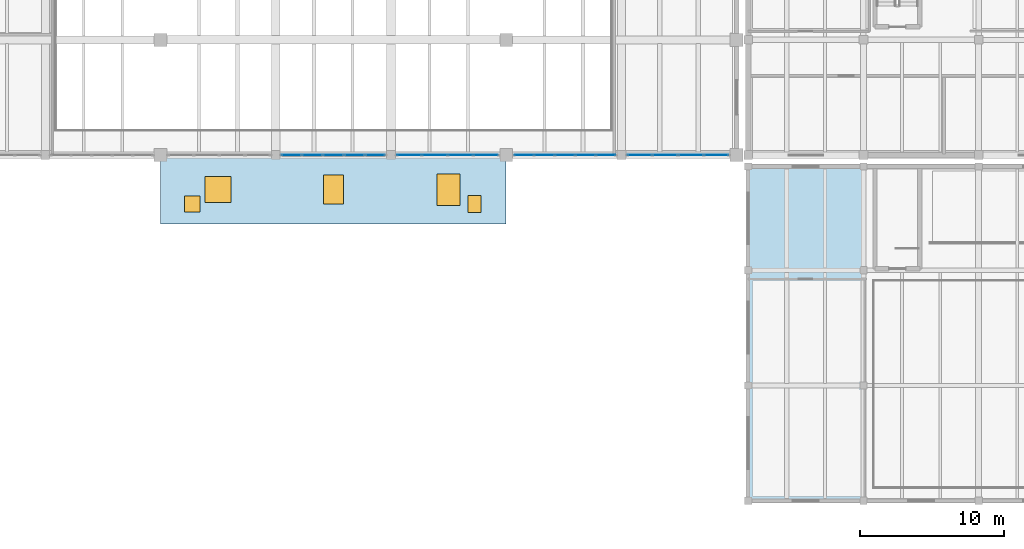
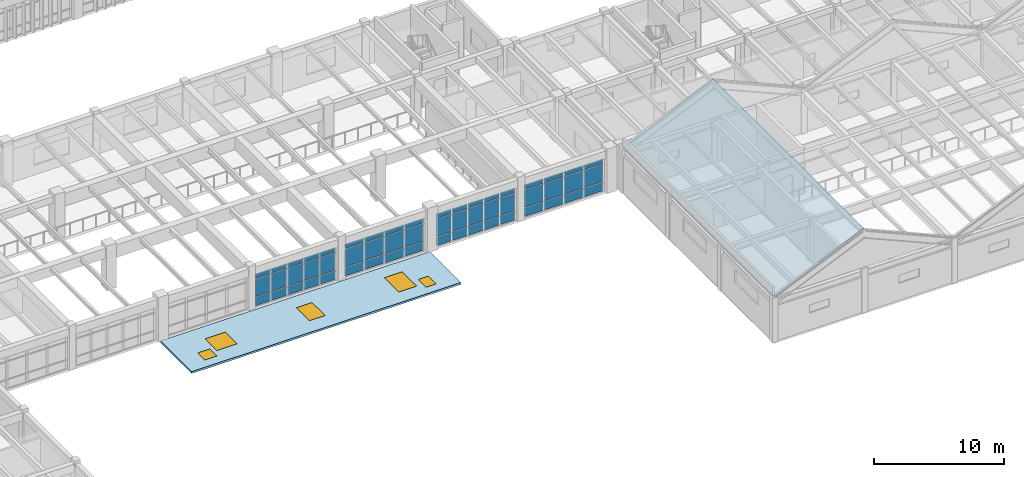
"""IFC4 building model written with IfcOpenShell, lengths in metres."""

from ifc_helpers import new_model, si_unit, direction, frame, origin, origin_2d, place, context, subcontext, project, spatial, polyline, rectangle, outline, extrude, material, layer, layer_set, type_object, element, fill, aggregate, save


model = new_model("IFC4")

# Units and contexts
model_context = context("Model", 3, precision=1e-05, world=origin(), true_north=direction((0.0, 1.0)))
body_context = subcontext(model_context, "Body", "Model", "MODEL_VIEW")
ifc_project = project(units=[si_unit("LENGTHUNIT", "METRE"), si_unit("AREAUNIT", "SQUARE_METRE"), si_unit("VOLUMEUNIT", "CUBIC_METRE"), si_unit("PLANEANGLEUNIT", "RADIAN"), si_unit("MASSUNIT", "GRAM", prefix="KILO")], contexts=[model_context])

# Site, building, storey
site_placement = place(None, origin())
site = spatial("IfcSite", under=ifc_project, at=site_placement, CompositionType="ELEMENT")
building_placement = place(site_placement, origin())
building = spatial("IfcBuilding", under=site, at=building_placement, Name="Tlaxcora Railside Police Headquarters", CompositionType="ELEMENT")
storey_1_placement = place(building_placement, frame((0.0, 0.0, 4.800048828125)))
storey_1 = spatial("IfcBuildingStorey", under=building, at=storey_1_placement, Name="L01", CompositionType="ELEMENT", Elevation=4.800048828125)

# Curtain wall, plates
ifc_material_1 = material(Name="Thermally broken low-E insulated glazing", Category="glass")
curtain_wall_type_1 = type_object("IfcCurtainWallType", Name="Unitised Curtain Wall Assembly CW-23", PredefinedType="NOTDEFINED", material=ifc_material_1)
curtain_wall_1_placement = place(storey_1_placement, origin())
curtain_wall_1 = element("IfcCurtainWall", 1, at=curtain_wall_1_placement, inside=storey_1, type_object=curtain_wall_type_1, Name="V1 L01 curtain wall 8", PredefinedType="NOTDEFINED")
ifc_layer_1 = layer(ifc_material_1, 0.0400390625, Name="Thermally broken low-E insulated glazing")
ifc_layer_set_1 = layer_set([ifc_layer_1], Name="Thermally broken low-E insulated glazing")
plate_type_1 = type_object("IfcPlateType", Name="Curtain Wall Infill Panel CW-17", PredefinedType="CURTAIN_PANEL", material=ifc_layer_set_1)
plate_1_placement = place(storey_1_placement, frame((71.10009765625, 36.0, 0.080078125), z_axis=(0.0, 0.0, 1.0), x_axis=(1.0, 0.0, 0.0)))
plate_1 = element("IfcPlate", 2, at=plate_1_placement, type_object=plate_type_1, Name="CW panel 1.1", PredefinedType="CURTAIN_PANEL", context=body_context, shape_type="SweptSolid", body=[
    extrude(rectangle(XDim=1.340087890625, YDim=0.0400390625, at=origin_2d()), origin(), (0.0, 0.0, 1.0), 0.780029296875),
])
plate_2_placement = place(storey_1_placement, frame((71.10009765625, 36.0, 0.93994140625), z_axis=(0.0, 0.0, 1.0), x_axis=(1.0, 0.0, 0.0)))
plate_2 = element("IfcPlate", 3, at=plate_2_placement, type_object=plate_type_1, Name="CW panel 1.2", PredefinedType="CURTAIN_PANEL", context=body_context, shape_type="SweptSolid", body=[
    extrude(rectangle(XDim=1.340087890625, YDim=0.0400390625, at=origin_2d()), origin(), (0.0, 0.0, 1.0), 1.6298828125),
])
plate_3_placement = place(storey_1_placement, frame((71.10009765625, 36.0, 2.64990234375), z_axis=(0.0, 0.0, 1.0), x_axis=(1.0, 0.0, 0.0)))
plate_3 = element("IfcPlate", 4, at=plate_3_placement, type_object=plate_type_1, Name="CW panel 1.3", PredefinedType="CURTAIN_PANEL", context=body_context, shape_type="SweptSolid", body=[
    extrude(rectangle(XDim=1.340087890625, YDim=0.0400390625, at=origin_2d()), origin(), (0.0, 0.0, 1.0), 0.409912109375),
])
plate_4_placement = place(storey_1_placement, frame((72.5400390625, 36.0, 0.080078125), z_axis=(0.0, 0.0, 1.0), x_axis=(1.0, 0.0, 0.0)))
plate_4 = element("IfcPlate", 5, at=plate_4_placement, type_object=plate_type_1, Name="CW panel 2.1", PredefinedType="CURTAIN_PANEL", context=body_context, shape_type="SweptSolid", body=[
    extrude(rectangle(XDim=1.3798828125, YDim=0.0400390625, at=origin_2d()), origin(), (0.0, 0.0, 1.0), 0.780029296875),
])
plate_5_placement = place(storey_1_placement, frame((72.5400390625, 36.0, 0.93994140625), z_axis=(0.0, 0.0, 1.0), x_axis=(1.0, 0.0, 0.0)))
plate_5 = element("IfcPlate", 6, at=plate_5_placement, type_object=plate_type_1, Name="CW panel 2.2", PredefinedType="CURTAIN_PANEL", context=body_context, shape_type="SweptSolid", body=[
    extrude(rectangle(XDim=1.3798828125, YDim=0.0400390625, at=origin_2d()), origin(), (0.0, 0.0, 1.0), 1.6298828125),
])
plate_6_placement = place(storey_1_placement, frame((72.5400390625, 36.0, 2.64990234375), z_axis=(0.0, 0.0, 1.0), x_axis=(1.0, 0.0, 0.0)))
plate_6 = element("IfcPlate", 7, at=plate_6_placement, type_object=plate_type_1, Name="CW panel 2.3", PredefinedType="CURTAIN_PANEL", context=body_context, shape_type="SweptSolid", body=[
    extrude(rectangle(XDim=1.3798828125, YDim=0.0400390625, at=origin_2d()), origin(), (0.0, 0.0, 1.0), 0.409912109375),
])
plate_7_placement = place(storey_1_placement, frame((74.0, 36.0, 0.080078125), z_axis=(0.0, 0.0, 1.0), x_axis=(1.0, 0.0, 0.0)))
plate_7 = element("IfcPlate", 8, at=plate_7_placement, type_object=plate_type_1, Name="CW panel 3.1", PredefinedType="CURTAIN_PANEL", context=body_context, shape_type="SweptSolid", body=[
    extrude(rectangle(XDim=1.3798828125, YDim=0.0400390625, at=origin_2d()), origin(), (0.0, 0.0, 1.0), 0.780029296875),
])
plate_8_placement = place(storey_1_placement, frame((74.0, 36.0, 0.93994140625), z_axis=(0.0, 0.0, 1.0), x_axis=(1.0, 0.0, 0.0)))
plate_8 = element("IfcPlate", 9, at=plate_8_placement, type_object=plate_type_1, Name="CW panel 3.2", PredefinedType="CURTAIN_PANEL", context=body_context, shape_type="SweptSolid", body=[
    extrude(rectangle(XDim=1.3798828125, YDim=0.0400390625, at=origin_2d()), origin(), (0.0, 0.0, 1.0), 1.6298828125),
])
plate_9_placement = place(storey_1_placement, frame((74.0, 36.0, 2.64990234375), z_axis=(0.0, 0.0, 1.0), x_axis=(1.0, 0.0, 0.0)))
plate_9 = element("IfcPlate", 10, at=plate_9_placement, type_object=plate_type_1, Name="CW panel 3.3", PredefinedType="CURTAIN_PANEL", context=body_context, shape_type="SweptSolid", body=[
    extrude(rectangle(XDim=1.3798828125, YDim=0.0400390625, at=origin_2d()), origin(), (0.0, 0.0, 1.0), 0.409912109375),
])
plate_10_placement = place(storey_1_placement, frame((75.4599609375, 36.0, 0.080078125), z_axis=(0.0, 0.0, 1.0), x_axis=(1.0, 0.0, 0.0)))
plate_10 = element("IfcPlate", 11, at=plate_10_placement, type_object=plate_type_1, Name="CW panel 4.1", PredefinedType="CURTAIN_PANEL", context=body_context, shape_type="SweptSolid", body=[
    extrude(rectangle(XDim=1.3798828125, YDim=0.0400390625, at=origin_2d()), origin(), (0.0, 0.0, 1.0), 0.780029296875),
])
plate_11_placement = place(storey_1_placement, frame((75.4599609375, 36.0, 0.93994140625), z_axis=(0.0, 0.0, 1.0), x_axis=(1.0, 0.0, 0.0)))
plate_11 = element("IfcPlate", 12, at=plate_11_placement, type_object=plate_type_1, Name="CW panel 4.2", PredefinedType="CURTAIN_PANEL", context=body_context, shape_type="SweptSolid", body=[
    extrude(rectangle(XDim=1.3798828125, YDim=0.0400390625, at=origin_2d()), origin(), (0.0, 0.0, 1.0), 1.6298828125),
])
plate_12_placement = place(storey_1_placement, frame((75.4599609375, 36.0, 2.64990234375), z_axis=(0.0, 0.0, 1.0), x_axis=(1.0, 0.0, 0.0)))
plate_12 = element("IfcPlate", 13, at=plate_12_placement, type_object=plate_type_1, Name="CW panel 4.3", PredefinedType="CURTAIN_PANEL", context=body_context, shape_type="SweptSolid", body=[
    extrude(rectangle(XDim=1.3798828125, YDim=0.0400390625, at=origin_2d()), origin(), (0.0, 0.0, 1.0), 0.409912109375),
])
plate_13_placement = place(storey_1_placement, frame((76.89990234375, 36.0, 0.080078125), z_axis=(0.0, 0.0, 1.0), x_axis=(1.0, 0.0, 0.0)))
plate_13 = element("IfcPlate", 14, at=plate_13_placement, type_object=plate_type_1, Name="CW panel 5.1", PredefinedType="CURTAIN_PANEL", context=body_context, shape_type="SweptSolid", body=[
    extrude(rectangle(XDim=1.340087890625, YDim=0.0400390625, at=origin_2d()), origin(), (0.0, 0.0, 1.0), 0.780029296875),
])
plate_14_placement = place(storey_1_placement, frame((76.89990234375, 36.0, 0.93994140625), z_axis=(0.0, 0.0, 1.0), x_axis=(1.0, 0.0, 0.0)))
plate_14 = element("IfcPlate", 15, at=plate_14_placement, type_object=plate_type_1, Name="CW panel 5.2", PredefinedType="CURTAIN_PANEL", context=body_context, shape_type="SweptSolid", body=[
    extrude(rectangle(XDim=1.340087890625, YDim=0.0400390625, at=origin_2d()), origin(), (0.0, 0.0, 1.0), 1.6298828125),
])
plate_15_placement = place(storey_1_placement, frame((76.89990234375, 36.0, 2.64990234375), z_axis=(0.0, 0.0, 1.0), x_axis=(1.0, 0.0, 0.0)))
plate_15 = element("IfcPlate", 16, at=plate_15_placement, type_object=plate_type_1, Name="CW panel 5.3", PredefinedType="CURTAIN_PANEL", context=body_context, shape_type="SweptSolid", body=[
    extrude(rectangle(XDim=1.340087890625, YDim=0.0400390625, at=origin_2d()), origin(), (0.0, 0.0, 1.0), 0.409912109375),
])
aggregate(curtain_wall_1, [plate_1, plate_2, plate_3, plate_4, plate_5, plate_6, plate_7, plate_8, plate_9, plate_10, plate_11, plate_12, plate_13, plate_14, plate_15])

curtain_wall_type_2 = type_object("IfcCurtainWallType", Name="Unitised Curtain Wall Assembly CW-15", PredefinedType="NOTDEFINED", material=ifc_material_1)
curtain_wall_2_placement = place(storey_1_placement, origin())
curtain_wall_2 = element("IfcCurtainWall", 17, at=curtain_wall_2_placement, inside=storey_1, type_object=curtain_wall_type_2, Name="V1 L01 curtain wall 10", PredefinedType="NOTDEFINED")
ifc_layer_2 = layer(ifc_material_1, 0.031982421875, Name="Thermally broken low-E insulated glazing")
ifc_layer_set_2 = layer_set([ifc_layer_2], Name="Thermally broken low-E insulated glazing")
plate_type_2 = type_object("IfcPlateType", Name="Curtain Wall Infill Panel CW-41", PredefinedType="CURTAIN_PANEL", material=ifc_layer_set_2)
plate_16_placement = place(storey_1_placement, frame((87.233642578125, 36.0, 0.074951171875), z_axis=(0.0, 0.0, 1.0), x_axis=(1.0, 0.0, 0.0)))
plate_16 = element("IfcPlate", 18, at=plate_16_placement, type_object=plate_type_2, Name="CW panel 1.1", PredefinedType="CURTAIN_PANEL", context=body_context, shape_type="SweptSolid", body=[
    extrude(rectangle(XDim=1.3173828125, YDim=0.031982421875, at=origin_2d()), origin(), (0.0, 0.0, 1.0), 0.78759765625),
])
plate_17_placement = place(storey_1_placement, frame((87.233642578125, 36.0, 0.9375), z_axis=(0.0, 0.0, 1.0), x_axis=(1.0, 0.0, 0.0)))
plate_17 = element("IfcPlate", 19, at=plate_17_placement, type_object=plate_type_2, Name="CW panel 1.2", PredefinedType="CURTAIN_PANEL", context=body_context, shape_type="SweptSolid", body=[
    extrude(rectangle(XDim=1.3173828125, YDim=0.031982421875, at=origin_2d()), origin(), (0.0, 0.0, 1.0), 1.635009765625),
])
plate_18_placement = place(storey_1_placement, frame((87.233642578125, 36.0, 2.6474609375), z_axis=(0.0, 0.0, 1.0), x_axis=(1.0, 0.0, 0.0)))
plate_18 = element("IfcPlate", 20, at=plate_18_placement, type_object=plate_type_2, Name="CW panel 1.3", PredefinedType="CURTAIN_PANEL", context=body_context, shape_type="SweptSolid", body=[
    extrude(rectangle(XDim=1.3173828125, YDim=0.031982421875, at=origin_2d()), origin(), (0.0, 0.0, 1.0), 0.41748046875),
])
plate_19_placement = place(storey_1_placement, frame((88.64501953125, 36.0, 0.074951171875), z_axis=(0.0, 0.0, 1.0), x_axis=(1.0, 0.0, 0.0)))
plate_19 = element("IfcPlate", 21, at=plate_19_placement, type_object=plate_type_2, Name="CW panel 2.1", PredefinedType="CURTAIN_PANEL", context=body_context, shape_type="SweptSolid", body=[
    extrude(rectangle(XDim=1.35498046875, YDim=0.031982421875, at=origin_2d()), origin(), (0.0, 0.0, 1.0), 0.78759765625),
])
plate_20_placement = place(storey_1_placement, frame((88.64501953125, 36.0, 0.9375), z_axis=(0.0, 0.0, 1.0), x_axis=(1.0, 0.0, 0.0)))
plate_20 = element("IfcPlate", 22, at=plate_20_placement, type_object=plate_type_2, Name="CW panel 2.2", PredefinedType="CURTAIN_PANEL", context=body_context, shape_type="SweptSolid", body=[
    extrude(rectangle(XDim=1.35498046875, YDim=0.031982421875, at=origin_2d()), origin(), (0.0, 0.0, 1.0), 1.635009765625),
])
plate_21_placement = place(storey_1_placement, frame((88.64501953125, 36.0, 2.6474609375), z_axis=(0.0, 0.0, 1.0), x_axis=(1.0, 0.0, 0.0)))
plate_21 = element("IfcPlate", 23, at=plate_21_placement, type_object=plate_type_2, Name="CW panel 2.3", PredefinedType="CURTAIN_PANEL", context=body_context, shape_type="SweptSolid", body=[
    extrude(rectangle(XDim=1.35498046875, YDim=0.031982421875, at=origin_2d()), origin(), (0.0, 0.0, 1.0), 0.41748046875),
])
plate_22_placement = place(storey_1_placement, frame((90.074951171875, 36.0, 0.074951171875), z_axis=(0.0, 0.0, 1.0), x_axis=(1.0, 0.0, 0.0)))
plate_22 = element("IfcPlate", 24, at=plate_22_placement, type_object=plate_type_2, Name="CW panel 3.1", PredefinedType="CURTAIN_PANEL", context=body_context, shape_type="SweptSolid", body=[
    extrude(rectangle(XDim=1.35498046875, YDim=0.031982421875, at=origin_2d()), origin(), (0.0, 0.0, 1.0), 0.78759765625),
])
plate_23_placement = place(storey_1_placement, frame((90.074951171875, 36.0, 0.9375), z_axis=(0.0, 0.0, 1.0), x_axis=(1.0, 0.0, 0.0)))
plate_23 = element("IfcPlate", 25, at=plate_23_placement, type_object=plate_type_2, Name="CW panel 3.2", PredefinedType="CURTAIN_PANEL", context=body_context, shape_type="SweptSolid", body=[
    extrude(rectangle(XDim=1.35498046875, YDim=0.031982421875, at=origin_2d()), origin(), (0.0, 0.0, 1.0), 1.635009765625),
])
plate_24_placement = place(storey_1_placement, frame((90.074951171875, 36.0, 2.6474609375), z_axis=(0.0, 0.0, 1.0), x_axis=(1.0, 0.0, 0.0)))
plate_24 = element("IfcPlate", 26, at=plate_24_placement, type_object=plate_type_2, Name="CW panel 3.3", PredefinedType="CURTAIN_PANEL", context=body_context, shape_type="SweptSolid", body=[
    extrude(rectangle(XDim=1.35498046875, YDim=0.031982421875, at=origin_2d()), origin(), (0.0, 0.0, 1.0), 0.41748046875),
])
plate_25_placement = place(storey_1_placement, frame((91.5048828125, 36.0, 0.074951171875), z_axis=(0.0, 0.0, 1.0), x_axis=(1.0, 0.0, 0.0)))
plate_25 = element("IfcPlate", 27, at=plate_25_placement, type_object=plate_type_2, Name="CW panel 4.1", PredefinedType="CURTAIN_PANEL", context=body_context, shape_type="SweptSolid", body=[
    extrude(rectangle(XDim=1.35498046875, YDim=0.031982421875, at=origin_2d()), origin(), (0.0, 0.0, 1.0), 0.78759765625),
])
plate_26_placement = place(storey_1_placement, frame((91.5048828125, 36.0, 0.9375), z_axis=(0.0, 0.0, 1.0), x_axis=(1.0, 0.0, 0.0)))
plate_26 = element("IfcPlate", 28, at=plate_26_placement, type_object=plate_type_2, Name="CW panel 4.2", PredefinedType="CURTAIN_PANEL", context=body_context, shape_type="SweptSolid", body=[
    extrude(rectangle(XDim=1.35498046875, YDim=0.031982421875, at=origin_2d()), origin(), (0.0, 0.0, 1.0), 1.635009765625),
])
plate_27_placement = place(storey_1_placement, frame((91.5048828125, 36.0, 2.6474609375), z_axis=(0.0, 0.0, 1.0), x_axis=(1.0, 0.0, 0.0)))
plate_27 = element("IfcPlate", 29, at=plate_27_placement, type_object=plate_type_2, Name="CW panel 4.3", PredefinedType="CURTAIN_PANEL", context=body_context, shape_type="SweptSolid", body=[
    extrude(rectangle(XDim=1.35498046875, YDim=0.031982421875, at=origin_2d()), origin(), (0.0, 0.0, 1.0), 0.41748046875),
])
plate_28_placement = place(storey_1_placement, frame((92.916259765625, 36.0, 0.074951171875), z_axis=(0.0, 0.0, 1.0), x_axis=(1.0, 0.0, 0.0)))
plate_28 = element("IfcPlate", 30, at=plate_28_placement, type_object=plate_type_2, Name="CW panel 5.1", PredefinedType="CURTAIN_PANEL", context=body_context, shape_type="SweptSolid", body=[
    extrude(rectangle(XDim=1.3173828125, YDim=0.031982421875, at=origin_2d()), origin(), (0.0, 0.0, 1.0), 0.78759765625),
])
plate_29_placement = place(storey_1_placement, frame((92.916259765625, 36.0, 0.9375), z_axis=(0.0, 0.0, 1.0), x_axis=(1.0, 0.0, 0.0)))
plate_29 = element("IfcPlate", 31, at=plate_29_placement, type_object=plate_type_2, Name="CW panel 5.2", PredefinedType="CURTAIN_PANEL", context=body_context, shape_type="SweptSolid", body=[
    extrude(rectangle(XDim=1.3173828125, YDim=0.031982421875, at=origin_2d()), origin(), (0.0, 0.0, 1.0), 1.635009765625),
])
plate_30_placement = place(storey_1_placement, frame((92.916259765625, 36.0, 2.6474609375), z_axis=(0.0, 0.0, 1.0), x_axis=(1.0, 0.0, 0.0)))
plate_30 = element("IfcPlate", 32, at=plate_30_placement, type_object=plate_type_2, Name="CW panel 5.3", PredefinedType="CURTAIN_PANEL", context=body_context, shape_type="SweptSolid", body=[
    extrude(rectangle(XDim=1.3173828125, YDim=0.031982421875, at=origin_2d()), origin(), (0.0, 0.0, 1.0), 0.41748046875),
])
aggregate(curtain_wall_2, [plate_16, plate_17, plate_18, plate_19, plate_20, plate_21, plate_22, plate_23, plate_24, plate_25, plate_26, plate_27, plate_28, plate_29, plate_30])

curtain_wall_type_3 = type_object("IfcCurtainWallType", Name="Unitised Curtain Wall Assembly CW-83", PredefinedType="NOTDEFINED", material=ifc_material_1)
curtain_wall_3_placement = place(storey_1_placement, origin())
curtain_wall_3 = element("IfcCurtainWall", 33, at=curtain_wall_3_placement, inside=storey_1, type_object=curtain_wall_type_3, Name="V1 L01 curtain wall 11", PredefinedType="NOTDEFINED")
ifc_layer_3 = layer(ifc_material_1, 0.035888671875, Name="Thermally broken low-E insulated glazing")
ifc_layer_set_3 = layer_set([ifc_layer_3], Name="Thermally broken low-E insulated glazing")
plate_type_3 = type_object("IfcPlateType", Name="Curtain Wall Infill Panel CW-72", PredefinedType="CURTAIN_PANEL", material=ifc_layer_set_3)
plate_31_placement = place(storey_1_placement, frame((95.263671875, 36.0, 0.080078125), z_axis=(0.0, 0.0, 1.0), x_axis=(1.0, 0.0, 0.0)))
plate_31 = element("IfcPlate", 34, at=plate_31_placement, type_object=plate_type_3, Name="CW panel 1.1", PredefinedType="CURTAIN_PANEL", context=body_context, shape_type="SweptSolid", body=[
    extrude(rectangle(XDim=1.66748046875, YDim=0.035888671875, at=origin_2d()), origin(), (0.0, 0.0, 1.0), 0.780029296875),
])
plate_32_placement = place(storey_1_placement, frame((95.263671875, 36.0, 0.93994140625), z_axis=(0.0, 0.0, 1.0), x_axis=(1.0, 0.0, 0.0)))
plate_32 = element("IfcPlate", 35, at=plate_32_placement, type_object=plate_type_3, Name="CW panel 1.2", PredefinedType="CURTAIN_PANEL", context=body_context, shape_type="SweptSolid", body=[
    extrude(rectangle(XDim=1.66748046875, YDim=0.035888671875, at=origin_2d()), origin(), (0.0, 0.0, 1.0), 1.6298828125),
])
plate_33_placement = place(storey_1_placement, frame((95.263671875, 36.0, 2.64990234375), z_axis=(0.0, 0.0, 1.0), x_axis=(1.0, 0.0, 0.0)))
plate_33 = element("IfcPlate", 36, at=plate_33_placement, type_object=plate_type_3, Name="CW panel 1.3", PredefinedType="CURTAIN_PANEL", context=body_context, shape_type="SweptSolid", body=[
    extrude(rectangle(XDim=1.66748046875, YDim=0.035888671875, at=origin_2d()), origin(), (0.0, 0.0, 1.0), 0.409912109375),
])
plate_34_placement = place(storey_1_placement, frame((97.03125, 36.0, 0.080078125), z_axis=(0.0, 0.0, 1.0), x_axis=(1.0, 0.0, 0.0)))
plate_34 = element("IfcPlate", 37, at=plate_34_placement, type_object=plate_type_3, Name="CW panel 2.1", PredefinedType="CURTAIN_PANEL", context=body_context, shape_type="SweptSolid", body=[
    extrude(rectangle(XDim=1.70751953125, YDim=0.035888671875, at=origin_2d()), origin(), (0.0, 0.0, 1.0), 0.780029296875),
])
plate_35_placement = place(storey_1_placement, frame((97.03125, 36.0, 0.93994140625), z_axis=(0.0, 0.0, 1.0), x_axis=(1.0, 0.0, 0.0)))
plate_35 = element("IfcPlate", 38, at=plate_35_placement, type_object=plate_type_3, Name="CW panel 2.2", PredefinedType="CURTAIN_PANEL", context=body_context, shape_type="SweptSolid", body=[
    extrude(rectangle(XDim=1.70751953125, YDim=0.035888671875, at=origin_2d()), origin(), (0.0, 0.0, 1.0), 1.6298828125),
])
plate_36_placement = place(storey_1_placement, frame((97.03125, 36.0, 2.64990234375), z_axis=(0.0, 0.0, 1.0), x_axis=(1.0, 0.0, 0.0)))
plate_36 = element("IfcPlate", 39, at=plate_36_placement, type_object=plate_type_3, Name="CW panel 2.3", PredefinedType="CURTAIN_PANEL", context=body_context, shape_type="SweptSolid", body=[
    extrude(rectangle(XDim=1.70751953125, YDim=0.035888671875, at=origin_2d()), origin(), (0.0, 0.0, 1.0), 0.409912109375),
])
plate_37_placement = place(storey_1_placement, frame((98.81884765625, 36.0, 0.080078125), z_axis=(0.0, 0.0, 1.0), x_axis=(1.0, 0.0, 0.0)))
plate_37 = element("IfcPlate", 40, at=plate_37_placement, type_object=plate_type_3, Name="CW panel 3.1", PredefinedType="CURTAIN_PANEL", context=body_context, shape_type="SweptSolid", body=[
    extrude(rectangle(XDim=1.70751953125, YDim=0.035888671875, at=origin_2d()), origin(), (0.0, 0.0, 1.0), 0.780029296875),
])
plate_38_placement = place(storey_1_placement, frame((98.81884765625, 36.0, 0.93994140625), z_axis=(0.0, 0.0, 1.0), x_axis=(1.0, 0.0, 0.0)))
plate_38 = element("IfcPlate", 41, at=plate_38_placement, type_object=plate_type_3, Name="CW panel 3.2", PredefinedType="CURTAIN_PANEL", context=body_context, shape_type="SweptSolid", body=[
    extrude(rectangle(XDim=1.70751953125, YDim=0.035888671875, at=origin_2d()), origin(), (0.0, 0.0, 1.0), 1.6298828125),
])
plate_39_placement = place(storey_1_placement, frame((98.81884765625, 36.0, 2.64990234375), z_axis=(0.0, 0.0, 1.0), x_axis=(1.0, 0.0, 0.0)))
plate_39 = element("IfcPlate", 42, at=plate_39_placement, type_object=plate_type_3, Name="CW panel 3.3", PredefinedType="CURTAIN_PANEL", context=body_context, shape_type="SweptSolid", body=[
    extrude(rectangle(XDim=1.70751953125, YDim=0.035888671875, at=origin_2d()), origin(), (0.0, 0.0, 1.0), 0.409912109375),
])
plate_40_placement = place(storey_1_placement, frame((100.586181640625, 36.0, 0.080078125), z_axis=(0.0, 0.0, 1.0), x_axis=(1.0, 0.0, 0.0)))
plate_40 = element("IfcPlate", 43, at=plate_40_placement, type_object=plate_type_3, Name="CW panel 4.1", PredefinedType="CURTAIN_PANEL", context=body_context, shape_type="SweptSolid", body=[
    extrude(rectangle(XDim=1.66748046875, YDim=0.035888671875, at=origin_2d()), origin(), (0.0, 0.0, 1.0), 0.780029296875),
])
plate_41_placement = place(storey_1_placement, frame((100.586181640625, 36.0, 0.93994140625), z_axis=(0.0, 0.0, 1.0), x_axis=(1.0, 0.0, 0.0)))
plate_41 = element("IfcPlate", 44, at=plate_41_placement, type_object=plate_type_3, Name="CW panel 4.2", PredefinedType="CURTAIN_PANEL", context=body_context, shape_type="SweptSolid", body=[
    extrude(rectangle(XDim=1.66748046875, YDim=0.035888671875, at=origin_2d()), origin(), (0.0, 0.0, 1.0), 1.6298828125),
])
plate_42_placement = place(storey_1_placement, frame((100.586181640625, 36.0, 2.64990234375), z_axis=(0.0, 0.0, 1.0), x_axis=(1.0, 0.0, 0.0)))
plate_42 = element("IfcPlate", 45, at=plate_42_placement, type_object=plate_type_3, Name="CW panel 4.3", PredefinedType="CURTAIN_PANEL", context=body_context, shape_type="SweptSolid", body=[
    extrude(rectangle(XDim=1.66748046875, YDim=0.035888671875, at=origin_2d()), origin(), (0.0, 0.0, 1.0), 0.409912109375),
])
aggregate(curtain_wall_3, [plate_31, plate_32, plate_33, plate_34, plate_35, plate_36, plate_37, plate_38, plate_39, plate_40, plate_41, plate_42])

curtain_wall_type_4 = type_object("IfcCurtainWallType", Name="Unitised Curtain Wall Assembly CW-38", PredefinedType="NOTDEFINED", material=ifc_material_1)
curtain_wall_4_placement = place(storey_1_placement, origin())
curtain_wall_4 = element("IfcCurtainWall", 46, at=curtain_wall_4_placement, inside=storey_1, type_object=curtain_wall_type_4, Name="V1 L01 curtain wall 9", PredefinedType="NOTDEFINED")
ifc_layer_4 = layer(ifc_material_1, 0.028076171875, Name="Thermally broken low-E insulated glazing")
ifc_layer_set_4 = layer_set([ifc_layer_4], Name="Thermally broken low-E insulated glazing")
plate_type_4 = type_object("IfcPlateType", Name="Curtain Wall Infill Panel CW-92", PredefinedType="CURTAIN_PANEL", material=ifc_layer_set_4)
plate_43_placement = place(storey_1_placement, frame((79.262451171875, 36.0, 0.074951171875), z_axis=(0.0, 0.0, 1.0), x_axis=(1.0, 0.0, 0.0)))
plate_43 = element("IfcPlate", 47, at=plate_43_placement, type_object=plate_type_4, Name="CW panel 1.1", PredefinedType="CURTAIN_PANEL", context=body_context, shape_type="SweptSolid", body=[
    extrude(rectangle(XDim=1.675048828125, YDim=0.028076171875, at=origin_2d()), origin(), (0.0, 0.0, 1.0), 0.78759765625),
])
plate_44_placement = place(storey_1_placement, frame((79.262451171875, 36.0, 0.9375), z_axis=(0.0, 0.0, 1.0), x_axis=(1.0, 0.0, 0.0)))
plate_44 = element("IfcPlate", 48, at=plate_44_placement, type_object=plate_type_4, Name="CW panel 1.2", PredefinedType="CURTAIN_PANEL", context=body_context, shape_type="SweptSolid", body=[
    extrude(rectangle(XDim=1.675048828125, YDim=0.028076171875, at=origin_2d()), origin(), (0.0, 0.0, 1.0), 1.635009765625),
])
plate_45_placement = place(storey_1_placement, frame((79.262451171875, 36.0, 2.6474609375), z_axis=(0.0, 0.0, 1.0), x_axis=(1.0, 0.0, 0.0)))
plate_45 = element("IfcPlate", 49, at=plate_45_placement, type_object=plate_type_4, Name="CW panel 1.3", PredefinedType="CURTAIN_PANEL", context=body_context, shape_type="SweptSolid", body=[
    extrude(rectangle(XDim=1.675048828125, YDim=0.028076171875, at=origin_2d()), origin(), (0.0, 0.0, 1.0), 0.41748046875),
])
plate_46_placement = place(storey_1_placement, frame((81.03125, 36.0, 0.074951171875), z_axis=(0.0, 0.0, 1.0), x_axis=(1.0, 0.0, 0.0)))
plate_46 = element("IfcPlate", 50, at=plate_46_placement, type_object=plate_type_4, Name="CW panel 2.1", PredefinedType="CURTAIN_PANEL", context=body_context, shape_type="SweptSolid", body=[
    extrude(rectangle(XDim=1.71240234375, YDim=0.028076171875, at=origin_2d()), origin(), (0.0, 0.0, 1.0), 0.78759765625),
])
plate_47_placement = place(storey_1_placement, frame((81.03125, 36.0, 0.9375), z_axis=(0.0, 0.0, 1.0), x_axis=(1.0, 0.0, 0.0)))
plate_47 = element("IfcPlate", 51, at=plate_47_placement, type_object=plate_type_4, Name="CW panel 2.2", PredefinedType="CURTAIN_PANEL", context=body_context, shape_type="SweptSolid", body=[
    extrude(rectangle(XDim=1.71240234375, YDim=0.028076171875, at=origin_2d()), origin(), (0.0, 0.0, 1.0), 1.635009765625),
])
plate_48_placement = place(storey_1_placement, frame((81.03125, 36.0, 2.6474609375), z_axis=(0.0, 0.0, 1.0), x_axis=(1.0, 0.0, 0.0)))
plate_48 = element("IfcPlate", 52, at=plate_48_placement, type_object=plate_type_4, Name="CW panel 2.3", PredefinedType="CURTAIN_PANEL", context=body_context, shape_type="SweptSolid", body=[
    extrude(rectangle(XDim=1.71240234375, YDim=0.028076171875, at=origin_2d()), origin(), (0.0, 0.0, 1.0), 0.41748046875),
])
plate_49_placement = place(storey_1_placement, frame((82.81884765625, 36.0, 0.074951171875), z_axis=(0.0, 0.0, 1.0), x_axis=(1.0, 0.0, 0.0)))
plate_49 = element("IfcPlate", 53, at=plate_49_placement, type_object=plate_type_4, Name="CW panel 3.1", PredefinedType="CURTAIN_PANEL", context=body_context, shape_type="SweptSolid", body=[
    extrude(rectangle(XDim=1.71240234375, YDim=0.028076171875, at=origin_2d()), origin(), (0.0, 0.0, 1.0), 0.78759765625),
])
plate_50_placement = place(storey_1_placement, frame((82.81884765625, 36.0, 0.9375), z_axis=(0.0, 0.0, 1.0), x_axis=(1.0, 0.0, 0.0)))
plate_50 = element("IfcPlate", 54, at=plate_50_placement, type_object=plate_type_4, Name="CW panel 3.2", PredefinedType="CURTAIN_PANEL", context=body_context, shape_type="SweptSolid", body=[
    extrude(rectangle(XDim=1.71240234375, YDim=0.028076171875, at=origin_2d()), origin(), (0.0, 0.0, 1.0), 1.635009765625),
])
plate_51_placement = place(storey_1_placement, frame((82.81884765625, 36.0, 2.6474609375), z_axis=(0.0, 0.0, 1.0), x_axis=(1.0, 0.0, 0.0)))
plate_51 = element("IfcPlate", 55, at=plate_51_placement, type_object=plate_type_4, Name="CW panel 3.3", PredefinedType="CURTAIN_PANEL", context=body_context, shape_type="SweptSolid", body=[
    extrude(rectangle(XDim=1.71240234375, YDim=0.028076171875, at=origin_2d()), origin(), (0.0, 0.0, 1.0), 0.41748046875),
])
plate_52_placement = place(storey_1_placement, frame((84.58740234375, 36.0, 0.074951171875), z_axis=(0.0, 0.0, 1.0), x_axis=(1.0, 0.0, 0.0)))
plate_52 = element("IfcPlate", 56, at=plate_52_placement, type_object=plate_type_4, Name="CW panel 4.1", PredefinedType="CURTAIN_PANEL", context=body_context, shape_type="SweptSolid", body=[
    extrude(rectangle(XDim=1.675048828125, YDim=0.028076171875, at=origin_2d()), origin(), (0.0, 0.0, 1.0), 0.78759765625),
])
plate_53_placement = place(storey_1_placement, frame((84.58740234375, 36.0, 0.9375), z_axis=(0.0, 0.0, 1.0), x_axis=(1.0, 0.0, 0.0)))
plate_53 = element("IfcPlate", 57, at=plate_53_placement, type_object=plate_type_4, Name="CW panel 4.2", PredefinedType="CURTAIN_PANEL", context=body_context, shape_type="SweptSolid", body=[
    extrude(rectangle(XDim=1.675048828125, YDim=0.028076171875, at=origin_2d()), origin(), (0.0, 0.0, 1.0), 1.635009765625),
])
plate_54_placement = place(storey_1_placement, frame((84.58740234375, 36.0, 2.6474609375), z_axis=(0.0, 0.0, 1.0), x_axis=(1.0, 0.0, 0.0)))
plate_54 = element("IfcPlate", 58, at=plate_54_placement, type_object=plate_type_4, Name="CW panel 4.3", PredefinedType="CURTAIN_PANEL", context=body_context, shape_type="SweptSolid", body=[
    extrude(rectangle(XDim=1.675048828125, YDim=0.028076171875, at=origin_2d()), origin(), (0.0, 0.0, 1.0), 0.41748046875),
])
aggregate(curtain_wall_4, [plate_43, plate_44, plate_45, plate_46, plate_47, plate_48, plate_49, plate_50, plate_51, plate_52, plate_53, plate_54])

# Slab, openings
ifc_material_2 = material(Name="Concrete C40/50", Category="concrete")
ifc_layer_5 = layer(ifc_material_2, 0.179931640625, Name="Concrete C40/50")
ifc_layer_set_5 = layer_set([ifc_layer_5], Name="Concrete C40/50")
slab_type_1 = type_object("IfcSlabType", Name="Folded or Flat Roof Slab SL-50", PredefinedType="ROOF", material=ifc_layer_set_5)
slab_1_placement = place(storey_1_placement, frame((0.0, 0.0, -0.4599609375)))
slab_1 = element("IfcSlab", 59, at=slab_1_placement, inside=storey_1, type_object=slab_type_1, Name="Main civic entrance canopy slab", PredefinedType="ROOF", context=body_context, shape_type="SweptSolid", body=[
    extrude(outline(polyline([(62.0, 31.199951171875), (86.0, 31.199951171875), (86.0, 36.0), (62.0, 36.0), (62.0, 31.199951171875)]), holes=[polyline([(64.64990234375, 33.050048828125), (64.64990234375, 32.14990234375), (63.75, 32.14990234375), (63.75, 33.050048828125), (64.64990234375, 33.050048828125)]), polyline([(84.25, 32.14990234375), (83.35009765625, 32.14990234375), (83.35009765625, 33.050048828125), (84.25, 33.050048828125), (84.25, 32.14990234375)])]), origin(), (0.0, 0.0, 1.0), 0.179931640625),
])
opening_1_placement = place(slab_1_placement, frame((66.0, 33.60009765625, -0.010009765625)))
opening_1 = element("IfcOpeningElement", 60, at=opening_1_placement, cuts=slab_1, Name="Opening WN-48", PredefinedType="OPENING", context=body_context, shape_type="SweptSolid", body=[
    extrude(rectangle(XDim=1.800048828125, YDim=1.800048828125, at=origin_2d()), origin(), (0.0, 0.0, 1.0), 0.199951171875),
])
opening_2_placement = place(slab_1_placement, frame((74.0, 33.60009765625, -0.010009765625)))
opening_2 = element("IfcOpeningElement", 61, at=opening_2_placement, cuts=slab_1, Name="Opening WN-87", PredefinedType="OPENING", context=body_context, shape_type="SweptSolid", body=[
    extrude(rectangle(XDim=1.39990234375, YDim=2.0, at=origin_2d()), origin(), (0.0, 0.0, 1.0), 0.199951171875),
])
opening_3_placement = place(slab_1_placement, frame((82.0, 33.60009765625, -0.010009765625)))
opening_3 = element("IfcOpeningElement", 62, at=opening_3_placement, cuts=slab_1, Name="Opening WN-75", PredefinedType="OPENING", context=body_context, shape_type="SweptSolid", body=[
    extrude(rectangle(XDim=1.60009765625, YDim=2.199951171875, at=origin_2d()), origin(), (0.0, 0.0, 1.0), 0.199951171875),
])
opening_4_placement = place(slab_1_placement, frame((64.199951171875, 32.60009765625, -0.010009765625)))
opening_4 = element("IfcOpeningElement", 63, at=opening_4_placement, cuts=slab_1, Name="Opening RH-05", PredefinedType="OPENING", context=body_context, shape_type="SweptSolid", body=[
    extrude(rectangle(XDim=1.10009765625, YDim=1.10009765625, at=origin_2d()), origin(), (0.0, 0.0, 1.0), 0.199951171875),
])
opening_5_placement = place(slab_1_placement, frame((83.800048828125, 32.60009765625, -0.010009765625)))
opening_5 = element("IfcOpeningElement", 64, at=opening_5_placement, cuts=slab_1, Name="Opening RH-06", PredefinedType="OPENING", context=body_context, shape_type="SweptSolid", body=[
    extrude(rectangle(XDim=0.89990234375, YDim=1.199951171875, at=origin_2d()), origin(), (0.0, 0.0, 1.0), 0.199951171875),
])

# Storey
storey_2_placement = place(building_placement, origin())
storey_2 = spatial("IfcBuildingStorey", under=building, at=storey_2_placement, Name="L00", CompositionType="ELEMENT", Elevation=0.0)

# Door
ifc_material_3 = material(Name="Steel ASTM A992 Grade 50", Category="steel")
door_type_1 = type_object("IfcDoorType", Name="Roof Access Hatch Door ED-17", OperationType="NOTDEFINED", PredefinedType="TRAPDOOR", material=ifc_material_3)
door_1_placement = place(opening_4_placement, frame((0.0, 0.0, 0.139892578125)))
door_1 = element("IfcDoor", 65, at=door_1_placement, inside=storey_2, type_object=door_type_1, Name="Roof access hatch RH-05", OperationType="SINGLE_SWING_LEFT", OverallHeight=1.10009765625, OverallWidth=1.10009765625, PredefinedType="TRAPDOOR", context=body_context, shape_type="SweptSolid", body=[
    extrude(rectangle(XDim=1.10009765625, YDim=1.10009765625, at=origin_2d()), origin(), (0.0, 0.0, 1.0), 0.050048828125),
])

fill(opening_4, door_1)

door_type_2 = type_object("IfcDoorType", Name="Roof Access Hatch Door ED-21", OperationType="NOTDEFINED", PredefinedType="TRAPDOOR", material=ifc_material_3)
door_2_placement = place(opening_5_placement, frame((0.0, 0.0, 0.139892578125)))
door_2 = element("IfcDoor", 66, at=door_2_placement, inside=storey_2, type_object=door_type_2, Name="Roof access hatch RH-06", OperationType="SINGLE_SWING_LEFT", OverallHeight=1.199951171875, OverallWidth=0.89990234375, PredefinedType="TRAPDOOR", context=body_context, shape_type="SweptSolid", body=[
    extrude(rectangle(XDim=0.89990234375, YDim=1.199951171875, at=origin_2d()), origin(), (0.0, 0.0, 1.0), 0.050048828125),
])

fill(opening_5, door_2)

# Window
window_type_1 = type_object("IfcWindowType", Name="Roof Skylight WN-48", PartitioningType="SINGLE_PANEL", PredefinedType="SKYLIGHT", material=ifc_material_1)
window_1_placement = place(opening_1_placement, frame((0.0, 0.0, 0.139892578125)))
window_1 = element("IfcWindow", 67, at=window_1_placement, inside=storey_1, type_object=window_type_1, Name="Roof skylight 05", OverallHeight=1.800048828125, OverallWidth=1.800048828125, PartitioningType="SINGLE_PANEL", PredefinedType="SKYLIGHT", context=body_context, shape_type="SweptSolid", body=[
    extrude(rectangle(XDim=1.800048828125, YDim=1.800048828125, at=origin_2d()), origin(), (0.0, 0.0, 1.0), 0.050048828125),
])

fill(opening_1, window_1)

window_type_2 = type_object("IfcWindowType", Name="Roof Skylight WN-75", PartitioningType="SINGLE_PANEL", PredefinedType="SKYLIGHT", material=ifc_material_1)
window_2_placement = place(opening_3_placement, frame((0.0, 0.0, 0.139892578125)))
window_2 = element("IfcWindow", 68, at=window_2_placement, inside=storey_1, type_object=window_type_2, Name="Roof skylight 07", OverallHeight=2.199951171875, OverallWidth=1.60009765625, PartitioningType="SINGLE_PANEL", PredefinedType="SKYLIGHT", context=body_context, shape_type="SweptSolid", body=[
    extrude(rectangle(XDim=1.60009765625, YDim=2.199951171875, at=origin_2d()), origin(), (0.0, 0.0, 1.0), 0.050048828125),
])

fill(opening_3, window_2)

window_type_3 = type_object("IfcWindowType", Name="Roof Skylight WN-87", PartitioningType="SINGLE_PANEL", PredefinedType="SKYLIGHT", material=ifc_material_1)
window_3_placement = place(opening_2_placement, frame((0.0, 0.0, 0.139892578125)))
window_3 = element("IfcWindow", 69, at=window_3_placement, inside=storey_1, type_object=window_type_3, Name="Roof skylight 06", OverallHeight=2.0, OverallWidth=1.39990234375, PartitioningType="SINGLE_PANEL", PredefinedType="SKYLIGHT", context=body_context, shape_type="SweptSolid", body=[
    extrude(rectangle(XDim=1.39990234375, YDim=2.0, at=origin_2d()), origin(), (0.0, 0.0, 1.0), 0.050048828125),
])

fill(opening_2, window_3)

# Slab
ifc_layer_6 = layer(ifc_material_2, 0.199951171875, Name="Concrete C40/50")
ifc_layer_set_6 = layer_set([ifc_layer_6], Name="Concrete C40/50")
slab_type_2 = type_object("IfcSlabType", Name="Folded or Flat Roof Slab SL-77", PredefinedType="ROOF", material=ifc_layer_set_6)
slab_2_placement = place(storey_1_placement, frame((102.800048828125, 35.199951171875, 0.0), z_axis=(0.0, -1.0, 0.0), x_axis=(1.0, 0.0, 0.0)))
element("IfcSlab", 70, at=slab_2_placement, inside=storey_1, type_object=slab_type_2, Name="Gymnasium-Range folded roof 1 west facet", PredefinedType="ROOF", context=body_context, shape_type="SweptSolid", body=[
    extrude(outline(polyline([(0.0, 3.980712890625), (8.0, 7.580810546875), (8.0, 7.800048828125), (0.0, 4.199951171875), (0.0, 3.980712890625)])), origin(), (0.0, 0.0, 1.0), 23.199951171875),
])

save(model, "model.ifc")
